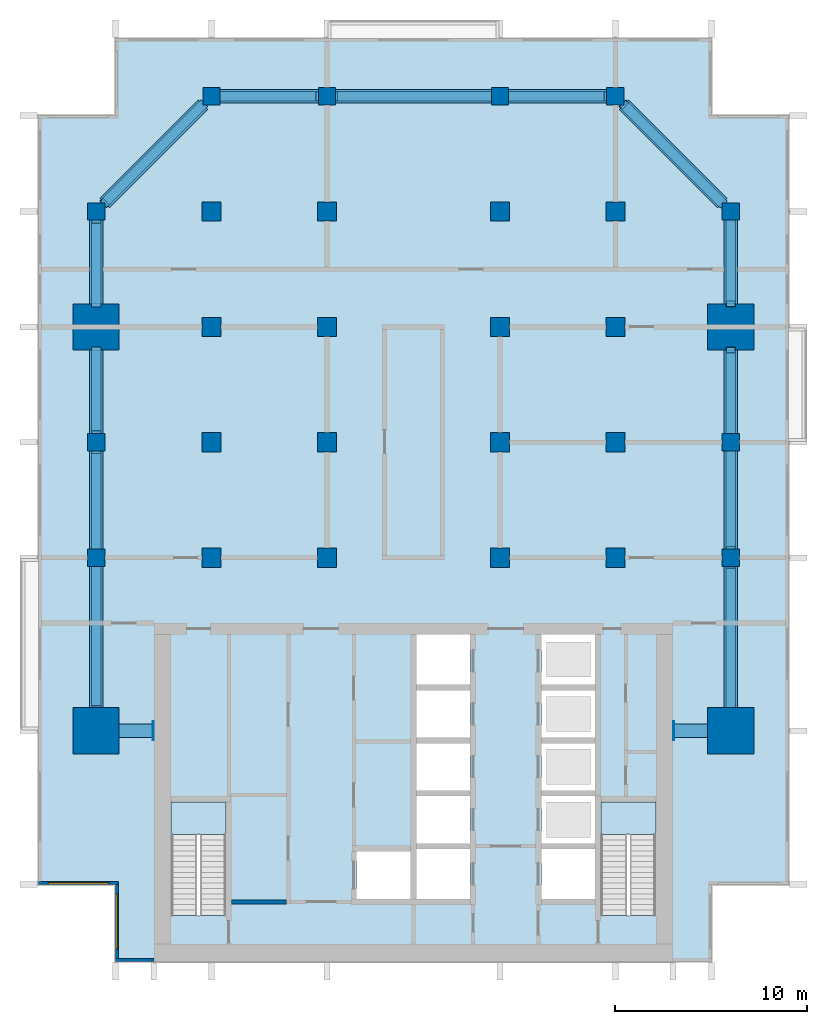
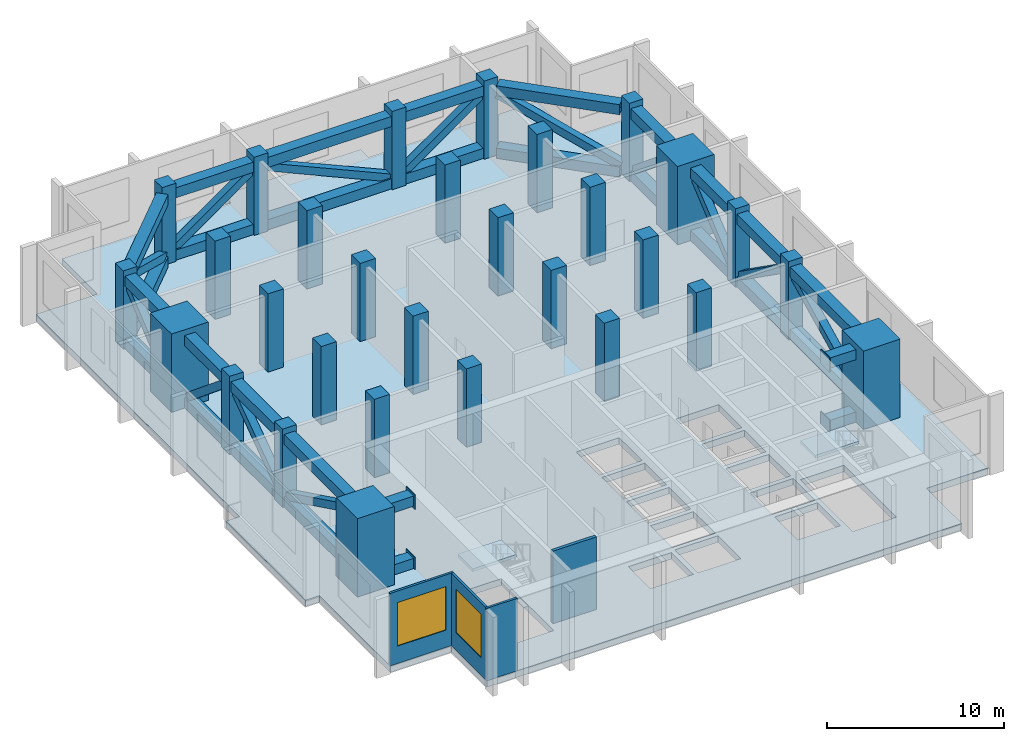
# One storey, part 1 of 11: 43 members, 30 columns, 4 plates, 4 walls, 3 slabs, 2 windows, 2 openings, 2 elements without a shape of their own.
"""IFC4 building model written with IfcOpenShell, lengths in metres."""

import ifcopenshell
import ifcopenshell.guid

model = None  # the IFC model being written
_history = None  # IfcOwnerHistory: only IFC2X3 demands one
_inside = {}  # id of a spatial element -> (the spatial element, [elements in it])
_under = {}  # id of a project, library or spatial element -> (it, [spatial elements below it])
_declared = {}  # id of a project -> (the project, [libraries it declares])
_typed = {}  # id of a type object -> (the type object, [elements of that type])
_made_of = {}  # id of a material, layer set ... -> (it, [elements and type objects made of it])


def new_model(schema):
    """Start an empty IFC model of exactly this schema.

    Asked for "IFC4X3", IfcOpenShell would pick the latest addendum, in which some entities
    have other attributes; the version numbers below select the first issue.
    IFC2X3 requires an IfcOwnerHistory on every rooted entity: one is made here for all.
    """
    global model, _history
    if schema == "IFC4X3":
        model = ifcopenshell.file(schema_version=(4, 3, 0, 0))
    else:
        model = ifcopenshell.file(schema=schema)
    _inside.clear()
    _under.clear()
    _declared.clear()
    _typed.clear()
    _made_of.clear()
    _history = None
    if model.schema == "IFC2X3":
        org = make("IfcOrganization", Name="unknown")
        user = make(
            "IfcPersonAndOrganization",
            ThePerson=make("IfcPerson", FamilyName="unknown"),
            TheOrganization=org,
        )
        app = make(
            "IfcApplication",
            ApplicationDeveloper=org,
            Version="unknown",
            ApplicationFullName="unknown",
            ApplicationIdentifier="unknown",
        )
        _history = make(
            "IfcOwnerHistory",
            OwningUser=user,
            OwningApplication=app,
            ChangeAction="ADDED",
            CreationDate=0,
        )
    return model


def make(cls, **values):
    """One entity of the class cls with the attributes given. An attribute that is None is left unset."""
    return model.create_entity(
        cls, **{name: value for name, value in values.items() if value is not None}
    )


def rooted(cls, **values):
    """An entity with a GlobalId (a new one), such as an element, a storey or a relation."""
    return make(cls, GlobalId=ifcopenshell.guid.new(), OwnerHistory=_history, **values)


def si_unit(unit_type, name, prefix=None):
    """IfcSIUnit, for example si_unit("LENGTHUNIT", "METRE", prefix="MILLI")."""
    return make("IfcSIUnit", UnitType=unit_type, Prefix=prefix, Name=name)


def assignment(units):
    """IfcUnitAssignment: the units of a project."""
    return None if units is None else make("IfcUnitAssignment", Units=units)


def point(xyz):
    """IfcCartesianPoint."""
    return None if xyz is None else make("IfcCartesianPoint", Coordinates=xyz)


def direction(xyz):
    """IfcDirection."""
    return None if xyz is None else make("IfcDirection", DirectionRatios=xyz)


def frame(location, z_axis=None, x_axis=None):
    """IfcAxis2Placement3D, a coordinate frame: its origin and axes. An axis left out is left unset."""
    return make(
        "IfcAxis2Placement3D",
        Location=point(location),
        Axis=direction(z_axis),
        RefDirection=direction(x_axis),
    )


def frame_2d(location, x_axis=None):
    """IfcAxis2Placement2D, a coordinate frame in the plane: its origin and x axis."""
    return make(
        "IfcAxis2Placement2D", Location=point(location), RefDirection=direction(x_axis)
    )


def origin():
    """The frame at (0, 0, 0) with its axes left unset."""
    return frame((0.0, 0.0, 0.0))


def origin_2d():
    """The frame at (0, 0) in the plane with its x axis left unset."""
    return frame_2d((0.0, 0.0))


def place(relative_to, where):
    """IfcLocalPlacement: puts the frame where relative to a parent placement (None: the world)."""
    return make(
        "IfcLocalPlacement", PlacementRelTo=relative_to, RelativePlacement=where
    )


def context(
    kind, dimensions, precision=None, world=None, true_north=None, identifier=None
):
    """IfcGeometricRepresentationContext, for example the 3D "Model" context."""
    return make(
        "IfcGeometricRepresentationContext",
        ContextIdentifier=identifier,
        ContextType=kind,
        CoordinateSpaceDimension=dimensions,
        Precision=precision,
        WorldCoordinateSystem=world,
        TrueNorth=true_north,
    )


def subcontext(parent, identifier, kind, view, scale=None):
    """IfcGeometricRepresentationSubContext, for example "Body" below "Model"."""
    return make(
        "IfcGeometricRepresentationSubContext",
        ContextIdentifier=identifier,
        ContextType=kind,
        ParentContext=parent,
        TargetScale=scale,
        TargetView=view,
    )


def project(units=None, contexts=None):
    """IfcProject with its units and contexts."""
    return rooted(
        "IfcProject",
        Name="project",
        RepresentationContexts=contexts,
        UnitsInContext=assignment(units),
    )


def spatial(cls, under=None, at=None, **own):
    """A site, building, storey or space (cls), placed at a placement, below another one or the project."""
    s = rooted(cls, ObjectPlacement=at, **own)
    if under is not None:
        _under.setdefault(under.id(), (under, []))[1].append(s)
    return s


def polyline(points):
    """IfcPolyline through the points."""
    return make("IfcPolyline", Points=[point(p) for p in points])


def profile(cls, at=None, kind="AREA", **sizes):
    """A parametric profile (cls). Its sizes go by their IFC names, for example OverallWidth=200.0."""
    return make(cls, ProfileType=kind, Position=at, **sizes)


def rectangle(**sizes):
    """IfcRectangleProfileDef."""
    return profile("IfcRectangleProfileDef", **sizes)


def hollow_rectangle(**sizes):
    """IfcRectangleHollowProfileDef."""
    return profile("IfcRectangleHollowProfileDef", **sizes)


def outline(outer, holes=None, kind="AREA"):
    """IfcArbitraryClosedProfileDef: a profile drawn as a closed curve; with holes, ...WithVoids."""
    if holes is None:
        return make("IfcArbitraryClosedProfileDef", ProfileType=kind, OuterCurve=outer)
    return make(
        "IfcArbitraryProfileDefWithVoids",
        ProfileType=kind,
        OuterCurve=outer,
        InnerCurves=holes,
    )


def extrude(swept, where, along, depth):
    """IfcExtrudedAreaSolid: the profile swept, set in the frame where, extruded along a direction by depth."""
    return make(
        "IfcExtrudedAreaSolid",
        SweptArea=swept,
        Position=where,
        ExtrudedDirection=direction(along),
        Depth=depth,
    )


def shape(context_of_items, identifier, shape_type, items):
    """IfcShapeRepresentation: the items that make up one representation, for example the "Body"."""
    return make(
        "IfcShapeRepresentation",
        ContextOfItems=context_of_items,
        RepresentationIdentifier=identifier,
        RepresentationType=shape_type,
        Items=items,
    )


def material(Name=None, Category=None):
    """IfcMaterial."""
    return make("IfcMaterial", Name=Name, Category=Category)


def layer(
    of_material, thickness, ventilated=None, Name=None, Category=None, Priority=None
):
    """IfcMaterialLayer: one layer of a wall or slab, of a material (None: an air gap)."""
    return make(
        "IfcMaterialLayer",
        Material=of_material,
        LayerThickness=thickness,
        IsVentilated=ventilated,
        Name=Name,
        Category=Category,
        Priority=Priority,
    )


def layer_set(layers, Name=None):
    """IfcMaterialLayerSet."""
    return make("IfcMaterialLayerSet", MaterialLayers=layers, LayerSetName=Name)


def material_profile(
    of_material, cross_section, Name=None, Category=None, Priority=None
):
    """IfcMaterialProfile: a cross section and its material."""
    return make(
        "IfcMaterialProfile",
        Name=Name,
        Material=of_material,
        Profile=cross_section,
        Priority=Priority,
        Category=Category,
    )


def profile_set(profiles, Name=None, composite=None):
    """IfcMaterialProfileSet."""
    return make(
        "IfcMaterialProfileSet",
        Name=Name,
        MaterialProfiles=profiles,
        CompositeProfile=composite,
    )


def made_of(thing, what):
    """Note that an element or type object is made of a material, layer set ...; save() writes the relation."""
    if what is not None:
        _made_of.setdefault(what.id(), (what, []))[1].append(thing)
    return thing


def type_object(cls, material=None, **own):
    """A type object (cls), such as IfcWallType, which elements share."""
    return made_of(rooted(cls, **own), material)


def element(
    cls,
    number,
    at=None,
    inside=None,
    cuts=None,
    type_object=None,
    material=None,
    context=None,
    identifier="Body",
    shape_type=None,
    held_by="IfcProductDefinitionShape",
    body=None,
    shapes=None,
    **own,
):
    """One element of the class cls, such as IfcWall. Its Tag is "e" and its number.

    at: its placement. inside: the storey or other place that contains it. cuts: it is an
    opening in that element (IfcRelVoidsElement). A single representation is given by context,
    identifier, shape_type and body (its items); several are given by shapes. held_by: the class
    of the entity that holds the representations. save() writes the other relations.
    """
    e = rooted(cls, Tag="e%d" % number, ObjectPlacement=at, **own)
    if body is not None:
        shapes = [shape(context, identifier, shape_type, body)]
    if shapes is not None:
        e.Representation = make(held_by, Representations=shapes)
    if inside is not None:
        _inside.setdefault(inside.id(), (inside, []))[1].append(e)
    if cuts is not None:
        rooted(
            "IfcRelVoidsElement", RelatingBuildingElement=cuts, RelatedOpeningElement=e
        )
    if type_object is not None:
        _typed.setdefault(type_object.id(), (type_object, []))[1].append(e)
    return made_of(e, material)


def fill(opening, filler):
    """IfcRelFillsElement: the door or window that sits in an opening."""
    return rooted(
        "IfcRelFillsElement",
        RelatingOpeningElement=opening,
        RelatedBuildingElement=filler,
    )


def aggregate(whole, parts):
    """IfcRelAggregates: a whole, such as a stair, and the parts it consists of."""
    return rooted("IfcRelAggregates", RelatingObject=whole, RelatedObjects=parts)


def save(model, path):
    """Write the relations noted so far, then the file.

    IfcRelAggregates (storeys below a building ...), IfcRelContainedInSpatialStructure (elements
    in a storey), IfcRelDefinesByType, IfcRelAssociatesMaterial and IfcRelDeclares: one each for
    every whole, place, type object, material and project.
    """
    for whole, parts in _under.values():
        aggregate(whole, parts)
    for where, things in _inside.values():
        rooted(
            "IfcRelContainedInSpatialStructure",
            RelatedElements=things,
            RelatingStructure=where,
        )
    for kind, things in _typed.values():
        rooted("IfcRelDefinesByType", RelatedObjects=things, RelatingType=kind)
    for what, things in _made_of.values():
        rooted("IfcRelAssociatesMaterial", RelatedObjects=things, RelatingMaterial=what)
    for by, libraries in _declared.values():
        rooted("IfcRelDeclares", RelatingContext=by, RelatedDefinitions=libraries)
    model.write(path)


model = new_model("IFC4")

# Units and contexts
model_context = context("Model", 3, precision=1e-05, world=origin(), true_north=direction((0.0, 1.0)))
body_context = subcontext(model_context, "Body", "Model", "MODEL_VIEW")
ifc_project = project(units=[si_unit("LENGTHUNIT", "METRE"), si_unit("AREAUNIT", "SQUARE_METRE"), si_unit("VOLUMEUNIT", "CUBIC_METRE"), si_unit("PLANEANGLEUNIT", "RADIAN"), si_unit("MASSUNIT", "GRAM", prefix="KILO")], contexts=[model_context])

# Site, building, storey
site_placement = place(None, origin())
site = spatial("IfcSite", under=ifc_project, at=site_placement, CompositionType="ELEMENT")
building_placement = place(site_placement, origin())
building = spatial("IfcBuilding", under=site, at=building_placement, Name="Finial Court Residences", CompositionType="ELEMENT")
storey_placement = place(building_placement, frame((0.0, 0.0, 199.699951171875)))
storey = spatial("IfcBuildingStorey", under=building, at=storey_placement, Name="L50", CompositionType="ELEMENT", Elevation=199.699951171875)

# Columns
ifc_material_1 = material(Name="Concrete C60/75", Category="concrete")
ifc_material_profile_1 = material_profile(ifc_material_1, rectangle(XDim=1.0, YDim=1.0, at=origin_2d()), Name="1000x1000")
ifc_profile_set_1 = profile_set([ifc_material_profile_1], Name="Concrete C60/75")
column_type_1 = type_object("IfcColumnType", Name="Interior column 1000x1000 Concrete C60/75", PredefinedType="COLUMN", material=ifc_profile_set_1)
for number, where, z_axis, x_axis, name in (
    (1, (-10.5, -4.5, 0.0), (0.0, 0.0, 1.0), (1.0, 0.0, 0.0), "S:COL:L50:D4"),
    (2, (-10.5, 1.5, 0.0), (0.0, 0.0, 1.0), (1.0, 0.0, 0.0), "S:COL:L50:D5"),
    (3, (-10.5, 7.5, 0.0), (0.0, 0.0, 1.0), (1.0, 0.0, 0.0), "S:COL:L50:D6"),
    (4, (-10.5, 13.5, 0.0), (0.0, 0.0, 1.0), (1.0, 0.0, 0.0), "S:COL:L50:D7"),
    (5, (-4.5, -4.5, 0.0), (0.0, 0.0, 1.0), (1.0, 0.0, 0.0), "S:COL:L50:E4"),
    (6, (-4.5, 1.5, 0.0), (0.0, 0.0, 1.0), (1.0, 0.0, 0.0), "S:COL:L50:E5"),
    (7, (-4.5, 7.5, 0.0), (0.0, 0.0, 1.0), (1.0, 0.0, 0.0), "S:COL:L50:E6"),
    (8, (-4.5, 13.5, 0.0), (0.0, 0.0, 1.0), (1.0, 0.0, 0.0), "S:COL:L50:E7"),
    (9, (4.5, -4.5, 0.0), (0.0, 0.0, 1.0), (1.0, 0.0, 0.0), "S:COL:L50:F4"),
    (10, (4.5, 1.5, 0.0), (0.0, 0.0, 1.0), (1.0, 0.0, 0.0), "S:COL:L50:F5"),
    (11, (4.5, 7.5, 0.0), (0.0, 0.0, 1.0), (1.0, 0.0, 0.0), "S:COL:L50:F6"),
    (12, (4.5, 13.5, 0.0), (0.0, 0.0, 1.0), (1.0, 0.0, 0.0), "S:COL:L50:F7"),
    (13, (10.5, -4.5, 0.0), (0.0, 0.0, 1.0), (1.0, 0.0, 0.0), "S:COL:L50:G4"),
    (14, (10.5, 1.5, 0.0), (0.0, 0.0, 1.0), (1.0, 0.0, 0.0), "S:COL:L50:G5"),
    (15, (10.5, 7.5, 0.0), (0.0, 0.0, 1.0), (1.0, 0.0, 0.0), "S:COL:L50:G6"),
    (16, (10.5, 13.5, 0.0), (0.0, 0.0, 1.0), (1.0, 0.0, 0.0), "S:COL:L50:G7"),
):
    element("IfcColumn", number, at=place(storey_placement, frame(where, z_axis=z_axis, x_axis=x_axis)), inside=storey, type_object=column_type_1, Name=name, PredefinedType="COLUMN", context=body_context, shape_type="SweptSolid", body=[
        extrude(rectangle(XDim=1.0, YDim=1.0, at=origin_2d()), origin(), (0.0, 0.0, 1.0), 5.400146484375),
    ])
ifc_material_profile_2 = material_profile(ifc_material_1, rectangle(XDim=2.39990234375, YDim=2.39990234375, at=origin_2d()), Name="2400x2400")
ifc_profile_set_2 = profile_set([ifc_material_profile_2], Name="Concrete C60/75")
column_type_2 = type_object("IfcColumnType", Name="Mega column 2400x2400 Concrete C60/75", PredefinedType="COLUMN", material=ifc_profile_set_2)
for number, where, z_axis, x_axis, name in (
    (17, (-16.5, -13.5, 0.0), (0.0, 0.0, 1.0), (1.0, 0.0, 0.0), "S:COL:L50:C3"),
    (18, (-16.5, 7.5, 0.0), (0.0, 0.0, 1.0), (1.0, 0.0, 0.0), "S:COL:L50:C6"),
    (19, (16.5, -13.5, 0.0), (0.0, 0.0, 1.0), (1.0, 0.0, 0.0), "S:COL:L50:H3"),
    (20, (16.5, 7.5, 0.0), (0.0, 0.0, 1.0), (1.0, 0.0, 0.0), "S:COL:L50:H6"),
):
    element("IfcColumn", number, at=place(storey_placement, frame(where, z_axis=z_axis, x_axis=x_axis)), inside=storey, type_object=column_type_2, Name=name, PredefinedType="COLUMN", context=body_context, shape_type="SweptSolid", body=[
        extrude(rectangle(XDim=2.39990234375, YDim=2.39990234375, at=origin_2d()), origin(), (0.0, 0.0, 1.0), 5.400146484375),
    ])
ifc_material_profile_3 = material_profile(ifc_material_1, rectangle(XDim=0.89990234375, YDim=0.89990234375, at=origin_2d()), Name="900x900")
ifc_profile_set_3 = profile_set([ifc_material_profile_3], Name="Concrete C60/75")
column_type_3 = type_object("IfcColumnType", Name="Perimeter column 900x900 Concrete C60/75", PredefinedType="COLUMN", material=ifc_profile_set_3)
for number, where, z_axis, x_axis, name in (
    (21, (-16.5, -4.5, 0.0), (0.0, 0.0, 1.0), (1.0, 0.0, 0.0), "S:COL:L50:C4"),
    (22, (-16.5, 1.5, 0.0), (0.0, 0.0, 1.0), (1.0, 0.0, 0.0), "S:COL:L50:C5"),
    (23, (-16.5, 13.5, 0.0), (0.0, 0.0, 1.0), (1.0, 0.0, 0.0), "S:COL:L50:C7"),
    (24, (-10.5, 19.5, 0.0), (0.0, 0.0, 1.0), (1.0, 0.0, 0.0), "S:COL:L50:D8"),
    (25, (-4.5, 19.5, 0.0), (0.0, 0.0, 1.0), (1.0, 0.0, 0.0), "S:COL:L50:E8"),
    (26, (4.5, 19.5, 0.0), (0.0, 0.0, 1.0), (1.0, 0.0, 0.0), "S:COL:L50:F8"),
    (27, (10.5, 19.5, 0.0), (0.0, 0.0, 1.0), (1.0, 0.0, 0.0), "S:COL:L50:G8"),
    (28, (16.5, -4.5, 0.0), (0.0, 0.0, 1.0), (1.0, 0.0, 0.0), "S:COL:L50:H4"),
    (29, (16.5, 1.5, 0.0), (0.0, 0.0, 1.0), (1.0, 0.0, 0.0), "S:COL:L50:H5"),
    (30, (16.5, 13.5, 0.0), (0.0, 0.0, 1.0), (1.0, 0.0, 0.0), "S:COL:L50:H7"),
):
    element("IfcColumn", number, at=place(storey_placement, frame(where, z_axis=z_axis, x_axis=x_axis)), inside=storey, type_object=column_type_3, Name=name, PredefinedType="COLUMN", context=body_context, shape_type="SweptSolid", body=[
        extrude(rectangle(XDim=0.89990234375, YDim=0.89990234375, at=origin_2d()), origin(), (0.0, 0.0, 1.0), 5.400146484375),
    ])

# Members
ifc_material_2 = material(Name="Steel ASTM A572 Gr 50", Category="steel")
ifc_material_profile_4 = material_profile(ifc_material_2, hollow_rectangle(XDim=0.699951171875, YDim=0.699951171875, WallThickness=0.0400390625, at=origin_2d()), Name="Box 700x700x40")
ifc_profile_set_4 = profile_set([ifc_material_profile_4], Name="Steel ASTM A572 Gr 50")
member_type_1 = type_object("IfcMemberType", Name="Belt truss chord Box 700x700x40", PredefinedType="CHORD", material=ifc_profile_set_4)
for number, where, z_axis, x_axis, name in (
    (31, (-13.550048828125, -13.5, 0.35009765625), (-1.0, 0.0, 0.0), (0.0, -1.0, 0.0), "S:TR:L50:01:B"),
    (32, (-13.550048828125, -13.5, 4.649169921875), (-1.0, 0.0, 0.0), (0.0, -1.0, 0.0), "S:TR:L50:01:T"),
):
    element("IfcMember", number, at=place(storey_placement, frame(where, z_axis=z_axis, x_axis=x_axis)), inside=storey, type_object=member_type_1, Name=name, PredefinedType="CHORD", context=body_context, shape_type="SweptSolid", body=[
        extrude(hollow_rectangle(XDim=0.699951171875, YDim=0.699951171875, WallThickness=0.0400390625, at=origin_2d()), origin(), (0.0, 0.0, 1.0), 1.75),
    ])
for number, where, z_axis, x_axis, name in (
    (33, (-16.5, -12.300048828125, 0.35009765625), (0.0, 1.0, 0.0), (-1.0, 0.0, 0.0), "S:TR:L50:02:B"),
    (34, (-16.5, -12.300048828125, 4.649169921875), (0.0, 1.0, 0.0), (-1.0, 0.0, 0.0), "S:TR:L50:02:T"),
):
    element("IfcMember", number, at=place(storey_placement, frame(where, z_axis=z_axis, x_axis=x_axis)), inside=storey, type_object=member_type_1, Name=name, PredefinedType="CHORD", context=body_context, shape_type="SweptSolid", body=[
        extrude(hollow_rectangle(XDim=0.699951171875, YDim=0.699951171875, WallThickness=0.0400390625, at=origin_2d()), origin(), (0.0, 0.0, 1.0), 7.35009765625),
    ])
for number, where, z_axis, x_axis, name in (
    (35, (-16.5, -4.050048828125, 0.35009765625), (0.0, 1.0, 0.0), (-1.0, 0.0, 0.0), "S:TR:L50:03:B"),
    (36, (-16.5, -4.050048828125, 4.649169921875), (0.0, 1.0, 0.0), (-1.0, 0.0, 0.0), "S:TR:L50:03:T"),
):
    element("IfcMember", number, at=place(storey_placement, frame(where, z_axis=z_axis, x_axis=x_axis)), inside=storey, type_object=member_type_1, Name=name, PredefinedType="CHORD", context=body_context, shape_type="SweptSolid", body=[
        extrude(hollow_rectangle(XDim=0.699951171875, YDim=0.699951171875, WallThickness=0.0400390625, at=origin_2d()), origin(), (0.0, 0.0, 1.0), 5.10009765625),
    ])
for number, where, z_axis, x_axis, name in (
    (37, (-16.5, 1.949951171875, 0.35009765625), (0.0, 1.0, 0.0), (-1.0, 0.0, 0.0), "S:TR:L50:04:B"),
    (38, (-16.5, 1.949951171875, 4.649169921875), (0.0, 1.0, 0.0), (-1.0, 0.0, 0.0), "S:TR:L50:04:T"),
    (39, (-16.5, 8.699951171875, 0.35009765625), (0.0, 1.0, 0.0), (-1.0, 0.0, 0.0), "S:TR:L50:05:B"),
    (40, (-16.5, 8.699951171875, 4.649169921875), (0.0, 1.0, 0.0), (-1.0, 0.0, 0.0), "S:TR:L50:05:T"),
):
    element("IfcMember", number, at=place(storey_placement, frame(where, z_axis=z_axis, x_axis=x_axis)), inside=storey, type_object=member_type_1, Name=name, PredefinedType="CHORD", context=body_context, shape_type="SweptSolid", body=[
        extrude(hollow_rectangle(XDim=0.699951171875, YDim=0.699951171875, WallThickness=0.0400390625, at=origin_2d()), origin(), (0.0, 0.0, 1.0), 4.35009765625),
    ])
for number, where, z_axis, x_axis, name in (
    (41, (-16.050048828125, 13.949951171875, 0.35009765625), (0.707106781187, 0.707106781187, 0.0), (-0.707106781187, 0.707106781187, 0.0), "S:TR:L50:06:B"),
    (42, (-16.050048828125, 13.949951171875, 4.649169921875), (0.707106781187, 0.707106781187, 0.0), (-0.707106781187, 0.707106781187, 0.0), "S:TR:L50:06:T"),
):
    element("IfcMember", number, at=place(storey_placement, frame(where, z_axis=z_axis, x_axis=x_axis)), inside=storey, type_object=member_type_1, Name=name, PredefinedType="CHORD", context=body_context, shape_type="SweptSolid", body=[
        extrude(hollow_rectangle(XDim=0.699951171875, YDim=0.699951171875, WallThickness=0.0400390625, at=origin_2d()), origin(), (0.0, 0.0, 1.0), 7.212646484375),
    ])
for number, where, z_axis, x_axis, name in (
    (43, (-10.050048828125, 19.5, 0.35009765625), (1.0, 0.0, 0.0), (0.0, 1.0, 0.0), "S:TR:L50:07:B"),
    (44, (-10.050048828125, 19.5, 4.649169921875), (1.0, 0.0, 0.0), (0.0, 1.0, 0.0), "S:TR:L50:07:T"),
):
    element("IfcMember", number, at=place(storey_placement, frame(where, z_axis=z_axis, x_axis=x_axis)), inside=storey, type_object=member_type_1, Name=name, PredefinedType="CHORD", context=body_context, shape_type="SweptSolid", body=[
        extrude(hollow_rectangle(XDim=0.699951171875, YDim=0.699951171875, WallThickness=0.0400390625, at=origin_2d()), origin(), (0.0, 0.0, 1.0), 5.10009765625),
    ])
for number, where, z_axis, x_axis, name in (
    (45, (-4.050048828125, 19.5, 0.35009765625), (1.0, 0.0, 0.0), (0.0, 1.0, 0.0), "S:TR:L50:08:B"),
    (46, (-4.050048828125, 19.5, 4.649169921875), (1.0, 0.0, 0.0), (0.0, 1.0, 0.0), "S:TR:L50:08:T"),
):
    element("IfcMember", number, at=place(storey_placement, frame(where, z_axis=z_axis, x_axis=x_axis)), inside=storey, type_object=member_type_1, Name=name, PredefinedType="CHORD", context=body_context, shape_type="SweptSolid", body=[
        extrude(hollow_rectangle(XDim=0.699951171875, YDim=0.699951171875, WallThickness=0.0400390625, at=origin_2d()), origin(), (0.0, 0.0, 1.0), 8.10009765625),
    ])
for number, where, z_axis, x_axis, name in (
    (47, (4.949951171875, 19.5, 0.35009765625), (1.0, 0.0, 0.0), (0.0, 1.0, 0.0), "S:TR:L50:09:B"),
    (48, (4.949951171875, 19.5, 4.649169921875), (1.0, 0.0, 0.0), (0.0, 1.0, 0.0), "S:TR:L50:09:T"),
):
    element("IfcMember", number, at=place(storey_placement, frame(where, z_axis=z_axis, x_axis=x_axis)), inside=storey, type_object=member_type_1, Name=name, PredefinedType="CHORD", context=body_context, shape_type="SweptSolid", body=[
        extrude(hollow_rectangle(XDim=0.699951171875, YDim=0.699951171875, WallThickness=0.0400390625, at=origin_2d()), origin(), (0.0, 0.0, 1.0), 5.10009765625),
    ])
for number, where, z_axis, x_axis, name in (
    (49, (10.949951171875, 19.050048828125, 0.35009765625), (0.707106781187, -0.707106781187, 0.0), (0.707106781187, 0.707106781187, 0.0), "S:TR:L50:10:B"),
    (50, (10.949951171875, 19.050048828125, 4.649169921875), (0.707106781187, -0.707106781187, 0.0), (0.707106781187, 0.707106781187, 0.0), "S:TR:L50:10:T"),
):
    element("IfcMember", number, at=place(storey_placement, frame(where, z_axis=z_axis, x_axis=x_axis)), inside=storey, type_object=member_type_1, Name=name, PredefinedType="CHORD", context=body_context, shape_type="SweptSolid", body=[
        extrude(hollow_rectangle(XDim=0.699951171875, YDim=0.699951171875, WallThickness=0.0400390625, at=origin_2d()), origin(), (0.0, 0.0, 1.0), 7.212646484375),
    ])
for number, where, z_axis, x_axis, name in (
    (51, (16.5, 13.050048828125, 0.35009765625), (0.0, -1.0, 0.0), (1.0, 0.0, 0.0), "S:TR:L50:11:B"),
    (52, (16.5, 13.050048828125, 4.649169921875), (0.0, -1.0, 0.0), (1.0, 0.0, 0.0), "S:TR:L50:11:T"),
    (53, (16.5, 6.300048828125, 0.35009765625), (0.0, -1.0, 0.0), (1.0, 0.0, 0.0), "S:TR:L50:12:B"),
    (54, (16.5, 6.300048828125, 4.649169921875), (0.0, -1.0, 0.0), (1.0, 0.0, 0.0), "S:TR:L50:12:T"),
):
    element("IfcMember", number, at=place(storey_placement, frame(where, z_axis=z_axis, x_axis=x_axis)), inside=storey, type_object=member_type_1, Name=name, PredefinedType="CHORD", context=body_context, shape_type="SweptSolid", body=[
        extrude(hollow_rectangle(XDim=0.699951171875, YDim=0.699951171875, WallThickness=0.0400390625, at=origin_2d()), origin(), (0.0, 0.0, 1.0), 4.35009765625),
    ])
for number, where, z_axis, x_axis, name in (
    (55, (16.5, 1.050048828125, 0.35009765625), (0.0, -1.0, 0.0), (1.0, 0.0, 0.0), "S:TR:L50:13:B"),
    (56, (16.5, 1.050048828125, 4.649169921875), (0.0, -1.0, 0.0), (1.0, 0.0, 0.0), "S:TR:L50:13:T"),
):
    element("IfcMember", number, at=place(storey_placement, frame(where, z_axis=z_axis, x_axis=x_axis)), inside=storey, type_object=member_type_1, Name=name, PredefinedType="CHORD", context=body_context, shape_type="SweptSolid", body=[
        extrude(hollow_rectangle(XDim=0.699951171875, YDim=0.699951171875, WallThickness=0.0400390625, at=origin_2d()), origin(), (0.0, 0.0, 1.0), 5.10009765625),
    ])
for number, where, z_axis, x_axis, name in (
    (57, (16.5, -4.949951171875, 0.35009765625), (0.0, -1.0, 0.0), (1.0, 0.0, 0.0), "S:TR:L50:14:B"),
    (58, (16.5, -4.949951171875, 4.649169921875), (0.0, -1.0, 0.0), (1.0, 0.0, 0.0), "S:TR:L50:14:T"),
):
    element("IfcMember", number, at=place(storey_placement, frame(where, z_axis=z_axis, x_axis=x_axis)), inside=storey, type_object=member_type_1, Name=name, PredefinedType="CHORD", context=body_context, shape_type="SweptSolid", body=[
        extrude(hollow_rectangle(XDim=0.699951171875, YDim=0.699951171875, WallThickness=0.0400390625, at=origin_2d()), origin(), (0.0, 0.0, 1.0), 7.35009765625),
    ])
for number, where, z_axis, x_axis, name in (
    (59, (15.300048828125, -13.5, 0.35009765625), (-1.0, 0.0, 0.0), (0.0, -1.0, 0.0), "S:TR:L50:15:B"),
    (60, (15.300048828125, -13.5, 4.649169921875), (-1.0, 0.0, 0.0), (0.0, -1.0, 0.0), "S:TR:L50:15:T"),
):
    element("IfcMember", number, at=place(storey_placement, frame(where, z_axis=z_axis, x_axis=x_axis)), inside=storey, type_object=member_type_1, Name=name, PredefinedType="CHORD", context=body_context, shape_type="SweptSolid", body=[
        extrude(hollow_rectangle(XDim=0.699951171875, YDim=0.699951171875, WallThickness=0.0400390625, at=origin_2d()), origin(), (0.0, 0.0, 1.0), 1.75),
    ])
ifc_material_profile_5 = material_profile(ifc_material_2, hollow_rectangle(XDim=0.5, YDim=0.5, WallThickness=0.030029296875, at=origin_2d()), Name="Box 500x500x30")
ifc_profile_set_5 = profile_set([ifc_material_profile_5], Name="Steel ASTM A572 Gr 50")
member_type_2 = type_object("IfcMemberType", Name="Belt truss diagonal Box 500x500x30", PredefinedType="BRACE", material=ifc_profile_set_5)
member_1_placement = place(storey_placement, frame((-16.5, -12.300048828125, 4.299072265625), z_axis=(0.0, 0.898107435577, -0.439776118225), x_axis=(-1.0, 0.0, 0.0)))
element("IfcMember", 61, at=member_1_placement, inside=storey, type_object=member_type_2, Name="S:TR:L50:02:D", PredefinedType="BRACE", context=body_context, shape_type="SweptSolid", body=[
    extrude(hollow_rectangle(XDim=0.5, YDim=0.5, WallThickness=0.030029296875, at=origin_2d()), origin(), (0.0, 0.0, 1.0), 8.18408203125),
])
member_2_placement = place(storey_placement, frame((-16.5, -4.050048828125, 0.699951171875), z_axis=(0.0, 0.81703939581, 0.576581846483), x_axis=(-1.0, 0.0, 0.0)))
element("IfcMember", 62, at=member_2_placement, inside=storey, type_object=member_type_2, Name="S:TR:L50:03:D", PredefinedType="BRACE", context=body_context, shape_type="SweptSolid", body=[
    extrude(hollow_rectangle(XDim=0.5, YDim=0.5, WallThickness=0.030029296875, at=origin_2d()), origin(), (0.0, 0.0, 1.0), 6.2421875),
])
for number, where, z_axis, x_axis, name in (
    (63, (-16.5, 1.949951171875, 4.299072265625), (0.0, 0.770477807011, -0.637466821807), (-1.0, 0.0, 0.0), "S:TR:L50:04:D"),
    (64, (-16.5, 8.699951171875, 0.699951171875), (0.0, 0.770477807011, 0.637466821807), (-1.0, 0.0, 0.0), "S:TR:L50:05:D"),
):
    element("IfcMember", number, at=place(storey_placement, frame(where, z_axis=z_axis, x_axis=x_axis)), inside=storey, type_object=member_type_2, Name=name, PredefinedType="BRACE", context=body_context, shape_type="SweptSolid", body=[
        extrude(hollow_rectangle(XDim=0.5, YDim=0.5, WallThickness=0.030029296875, at=origin_2d()), origin(), (0.0, 0.0, 1.0), 5.64599609375),
    ])
member_3_placement = place(storey_placement, frame((-16.050048828125, 13.949951171875, 4.299072265625), z_axis=(0.632707708986, 0.632707708986, -0.446499619238), x_axis=(-0.707106781187, 0.707106781187, 0.0)))
element("IfcMember", 65, at=member_3_placement, inside=storey, type_object=member_type_2, Name="S:TR:L50:06:D", PredefinedType="BRACE", context=body_context, shape_type="SweptSolid", body=[
    extrude(hollow_rectangle(XDim=0.5, YDim=0.5, WallThickness=0.030029296875, at=origin_2d()), origin(), (0.0, 0.0, 1.0), 8.060791015625),
])
member_4_placement = place(storey_placement, frame((-10.050048828125, 19.5, 0.699951171875), z_axis=(0.81703939581, 0.0, 0.576581846483), x_axis=(0.0, 1.0, 0.0)))
element("IfcMember", 66, at=member_4_placement, inside=storey, type_object=member_type_2, Name="S:TR:L50:07:D", PredefinedType="BRACE", context=body_context, shape_type="SweptSolid", body=[
    extrude(hollow_rectangle(XDim=0.5, YDim=0.5, WallThickness=0.030029296875, at=origin_2d()), origin(), (0.0, 0.0, 1.0), 6.2421875),
])
member_5_placement = place(storey_placement, frame((-4.050048828125, 19.5, 4.299072265625), z_axis=(0.913850162684, 0.0, -0.40605157328), x_axis=(0.0, 1.0, 0.0)))
element("IfcMember", 67, at=member_5_placement, inside=storey, type_object=member_type_2, Name="S:TR:L50:08:D", PredefinedType="BRACE", context=body_context, shape_type="SweptSolid", body=[
    extrude(hollow_rectangle(XDim=0.5, YDim=0.5, WallThickness=0.030029296875, at=origin_2d()), origin(), (0.0, 0.0, 1.0), 8.86376953125),
])
member_6_placement = place(storey_placement, frame((4.949951171875, 19.5, 0.699951171875), z_axis=(0.81703939581, 0.0, 0.576581846483), x_axis=(0.0, 1.0, 0.0)))
element("IfcMember", 68, at=member_6_placement, inside=storey, type_object=member_type_2, Name="S:TR:L50:09:D", PredefinedType="BRACE", context=body_context, shape_type="SweptSolid", body=[
    extrude(hollow_rectangle(XDim=0.5, YDim=0.5, WallThickness=0.030029296875, at=origin_2d()), origin(), (0.0, 0.0, 1.0), 6.2421875),
])
member_7_placement = place(storey_placement, frame((10.949951171875, 19.050048828125, 4.299072265625), z_axis=(0.632707708986, -0.632707708986, -0.446499619238), x_axis=(0.707106781187, 0.707106781187, 0.0)))
element("IfcMember", 69, at=member_7_placement, inside=storey, type_object=member_type_2, Name="S:TR:L50:10:D", PredefinedType="BRACE", context=body_context, shape_type="SweptSolid", body=[
    extrude(hollow_rectangle(XDim=0.5, YDim=0.5, WallThickness=0.030029296875, at=origin_2d()), origin(), (0.0, 0.0, 1.0), 8.060791015625),
])
for number, where, z_axis, x_axis, name in (
    (70, (16.5, 13.050048828125, 0.699951171875), (0.0, -0.770477807011, 0.637466821807), (1.0, 0.0, 0.0), "S:TR:L50:11:D"),
    (71, (16.5, 6.300048828125, 4.299072265625), (0.0, -0.770477807011, -0.637466821807), (1.0, 0.0, 0.0), "S:TR:L50:12:D"),
):
    element("IfcMember", number, at=place(storey_placement, frame(where, z_axis=z_axis, x_axis=x_axis)), inside=storey, type_object=member_type_2, Name=name, PredefinedType="BRACE", context=body_context, shape_type="SweptSolid", body=[
        extrude(hollow_rectangle(XDim=0.5, YDim=0.5, WallThickness=0.030029296875, at=origin_2d()), origin(), (0.0, 0.0, 1.0), 5.64599609375),
    ])
member_8_placement = place(storey_placement, frame((16.5, 1.050048828125, 0.699951171875), z_axis=(0.0, -0.81703939581, 0.576581846483), x_axis=(1.0, 0.0, 0.0)))
element("IfcMember", 72, at=member_8_placement, inside=storey, type_object=member_type_2, Name="S:TR:L50:13:D", PredefinedType="BRACE", context=body_context, shape_type="SweptSolid", body=[
    extrude(hollow_rectangle(XDim=0.5, YDim=0.5, WallThickness=0.030029296875, at=origin_2d()), origin(), (0.0, 0.0, 1.0), 6.2421875),
])
member_9_placement = place(storey_placement, frame((16.5, -4.949951171875, 4.299072265625), z_axis=(0.0, -0.898107435577, -0.439776118225), x_axis=(1.0, 0.0, 0.0)))
element("IfcMember", 73, at=member_9_placement, inside=storey, type_object=member_type_2, Name="S:TR:L50:14:D", PredefinedType="BRACE", context=body_context, shape_type="SweptSolid", body=[
    extrude(hollow_rectangle(XDim=0.5, YDim=0.5, WallThickness=0.030029296875, at=origin_2d()), origin(), (0.0, 0.0, 1.0), 8.18408203125),
])

# Plates
ifc_layer_1 = layer(ifc_material_2, 0.050048828125)
ifc_layer_set_1 = layer_set([ifc_layer_1], Name="Cast-in plate 50")
plate_type = type_object("IfcPlateType", Name="Cast-in plate 50", PredefinedType="USERDEFINED", material=ifc_layer_set_1)
for number, where, z_axis, x_axis, name in (
    (74, (-13.52490234375, -13.5, -0.14990234375), (0.0, 0.0, 1.0), (1.0, 0.0, 0.0), "S:TR:L50:01:CP0B"),
    (75, (-13.52490234375, -13.5, 4.149169921875), (0.0, 0.0, 1.0), (1.0, 0.0, 0.0), "S:TR:L50:01:CP0T"),
    (76, (13.52490234375, -13.5, -0.14990234375), (0.0, 0.0, 1.0), (1.0, 0.0, 0.0), "S:TR:L50:15:CP1B"),
    (77, (13.52490234375, -13.5, 4.149169921875), (0.0, 0.0, 1.0), (1.0, 0.0, 0.0), "S:TR:L50:15:CP1T"),
):
    element("IfcPlate", number, at=place(storey_placement, frame(where, z_axis=z_axis, x_axis=x_axis)), inside=storey, type_object=plate_type, Name=name, ObjectType="Cast-in plate", PredefinedType="USERDEFINED", context=body_context, shape_type="SweptSolid", body=[
        extrude(rectangle(XDim=0.050048828125, YDim=1.0, at=origin_2d()), origin(), (0.0, 0.0, 1.0), 1.0),
    ])

# Stair, slab
ifc_material_3 = material(Name="Concrete C50/60", Category="concrete")
stair_type = type_object("IfcStairType", Name="Exit stair 32 risers of 168.8 mm", PredefinedType="HALF_TURN_STAIR", material=ifc_material_3)
stair_1_placement = place(storey_placement, origin())
stair_1 = element("IfcStair", 78, at=stair_1_placement, inside=storey, type_object=stair_type, Name="L50 Exit stair ST-1", PredefinedType="HALF_TURN_STAIR")
ifc_layer_2 = layer(ifc_material_3, 0.199951171875)
ifc_layer_set_2 = layer_set([ifc_layer_2], Name="Exit stair landing")
slab_type_1 = type_object("IfcSlabType", Name="Exit stair landing", PredefinedType="LANDING", material=ifc_layer_set_2)
slab_1_placement = place(storey_placement, frame((0.0, 0.0, 2.5)))
slab_1 = element("IfcSlab", 79, at=slab_1_placement, type_object=slab_type_1, Name="ST-1 landing 1", PredefinedType="LANDING", context=body_context, shape_type="SweptSolid", body=[
    extrude(outline(polyline([(-9.75, -18.89990234375), (-9.75, -17.199951171875), (-12.60009765625, -17.199951171875), (-12.60009765625, -18.89990234375), (-9.75, -18.89990234375)])), origin(), (0.0, 0.0, 1.0), 0.199951171875),
])
aggregate(stair_1, [slab_1])

stair_2_placement = place(storey_placement, origin())
stair_2 = element("IfcStair", 80, at=stair_2_placement, inside=storey, type_object=stair_type, Name="L50 Exit stair ST-2", PredefinedType="HALF_TURN_STAIR")
slab_2_placement = place(storey_placement, frame((0.0, 0.0, 2.5)))
slab_2 = element("IfcSlab", 81, at=slab_2_placement, type_object=slab_type_1, Name="ST-2 landing 1", PredefinedType="LANDING", context=body_context, shape_type="SweptSolid", body=[
    extrude(outline(polyline([(12.60009765625, -18.89990234375), (12.60009765625, -17.199951171875), (9.75, -17.199951171875), (9.75, -18.89990234375), (12.60009765625, -18.89990234375)])), origin(), (0.0, 0.0, 1.0), 0.199951171875),
])
aggregate(stair_2, [slab_2])

# Slab
ifc_material_4 = material(Name="Concrete C40/50", Category="concrete")
ifc_layer_3 = layer(ifc_material_4, 0.449951171875)
ifc_layer_set_3 = layer_set([ifc_layer_3], Name="Flat plate slab 450 Concrete C40/50")
slab_type_2 = type_object("IfcSlabType", Name="Flat plate slab 450 Concrete C40/50", PredefinedType="FLOOR", material=ifc_layer_set_3)
slab_3_placement = place(storey_placement, frame((0.0, 0.0, -0.449951171875)))
element("IfcSlab", 82, at=slab_3_placement, inside=storey, type_object=slab_type_2, Name="S:SLAB:L50", PredefinedType="FLOOR", context=body_context, shape_type="SweptSolid", body=[
    extrude(outline(polyline([(-20.39990234375, -4.5), (-19.5, -4.5), (-19.5, 18.5), (-15.5, 18.5), (-15.5, 22.5), (-4.5, 22.5), (-4.5, 23.39990234375), (4.5, 23.39990234375), (4.5, 22.5), (15.5, 22.5), (15.5, 18.5), (19.5, 18.5), (19.5, 7.5), (20.39990234375, 7.5), (20.39990234375, 1.5), (19.5, 1.5), (19.5, -21.5), (15.5, -21.5), (15.5, -25.5), (-15.5, -25.5), (-15.5, -21.5), (-19.5, -21.5), (-19.5, -13.5), (-20.39990234375, -13.5), (-20.39990234375, -4.5)]), holes=[polyline([(-0.14990234375, -19.77001953125), (-2.949951171875, -19.77001953125), (-2.949951171875, -22.25), (-0.14990234375, -22.25), (-0.14990234375, -19.77001953125)]), polyline([(2.949951171875, -22.25), (2.949951171875, -19.64990234375), (0.14990234375, -19.64990234375), (0.14990234375, -22.25), (2.949951171875, -22.25)]), polyline([(-9.75, -17.199951171875), (-12.60009765625, -17.199951171875), (-12.60009765625, -23.09912109375), (-9.75, -23.09912109375), (-9.75, -17.199951171875)]), polyline([(2.949951171875, -16.89990234375), (0.14990234375, -16.89990234375), (0.14990234375, -19.35009765625), (2.949951171875, -19.35009765625), (2.949951171875, -16.89990234375)]), polyline([(2.949951171875, -16.60009765625), (2.949951171875, -14.14990234375), (0.14990234375, -14.14990234375), (0.14990234375, -16.60009765625), (2.949951171875, -16.60009765625)]), polyline([(2.949951171875, -13.85009765625), (2.949951171875, -11.39990234375), (0.14990234375, -11.39990234375), (0.14990234375, -13.85009765625), (2.949951171875, -13.85009765625)]), polyline([(2.949951171875, -8.5), (0.14990234375, -8.5), (0.14990234375, -11.10009765625), (2.949951171875, -11.10009765625), (2.949951171875, -8.5)]), polyline([(9.449951171875, -22.25), (9.449951171875, -19.64990234375), (6.64990234375, -19.64990234375), (6.64990234375, -22.25), (9.449951171875, -22.25)]), polyline([(12.60009765625, -17.199951171875), (9.75, -17.199951171875), (9.75, -23.09912109375), (12.60009765625, -23.09912109375), (12.60009765625, -17.199951171875)]), polyline([(9.449951171875, -19.35009765625), (9.449951171875, -16.89990234375), (6.64990234375, -16.89990234375), (6.64990234375, -19.35009765625), (9.449951171875, -19.35009765625)]), polyline([(9.449951171875, -16.60009765625), (9.449951171875, -14.14990234375), (6.64990234375, -14.14990234375), (6.64990234375, -16.60009765625), (9.449951171875, -16.60009765625)]), polyline([(9.449951171875, -13.85009765625), (9.449951171875, -11.39990234375), (6.64990234375, -11.39990234375), (6.64990234375, -13.85009765625), (9.449951171875, -13.85009765625)]), polyline([(9.449951171875, -11.10009765625), (9.449951171875, -8.5), (6.64990234375, -8.5), (6.64990234375, -11.10009765625), (9.449951171875, -11.10009765625)])]), origin(), (0.0, 0.0, 1.0), 0.449951171875),
])

# Wall
ifc_material_5 = material(Name="Natural limestone", Category="masonry")
ifc_layer_4 = layer(ifc_material_5, 0.14990234375)
ifc_layer_set_4 = layer_set([ifc_layer_4], Name="Plant storey wall, limestone clad 150")
wall_type_1 = type_object("IfcWallType", Name="Plant storey wall, limestone clad 150", PredefinedType="SOLIDWALL", material=ifc_layer_set_4)
wall_1_placement = place(storey_placement, frame((-13.5, -25.425048828125, 0.0), z_axis=(0.0, 0.0, 1.0), x_axis=(-1.0, 0.0, 0.0)))
element("IfcWall", 83, at=wall_1_placement, inside=storey, type_object=wall_type_1, Name="E-L50-PWS3", PredefinedType="SOLIDWALL", context=body_context, shape_type="SweptSolid", body=[
    extrude(rectangle(XDim=2.0, YDim=0.14990234375, at=frame_2d((1.0, 0.0))), origin(), (0.0, 0.0, 1.0), 5.0),
])

# Wall, opening, window
wall_2_placement = place(storey_placement, frame((-15.425048828125, -25.35009765625, 0.0), z_axis=(0.0, 0.0, 1.0), x_axis=(0.0, 1.0, 0.0)))
wall_2 = element("IfcWall", 84, at=wall_2_placement, inside=storey, type_object=wall_type_1, Name="E-L50-PWW6", PredefinedType="SOLIDWALL", context=body_context, shape_type="SweptSolid", body=[
    extrude(rectangle(XDim=3.85009765625, YDim=0.14990234375, at=frame_2d((1.925048828125, 0.0))), origin(), (0.0, 0.0, 1.0), 5.0),
])
opening_1_placement = place(wall_2_placement, frame((0.5, 0.0, 1.199951171875)))
opening_1 = element("IfcOpeningElement", 85, at=opening_1_placement, cuts=wall_2, Name="Opening WE50-20", PredefinedType="OPENING", context=body_context, shape_type="SweptSolid", body=[
    extrude(rectangle(XDim=2.85009765625, YDim=3.0, at=frame_2d((1.425048828125, 1.5))), frame((0.0, 0.0849609375, 0.0), z_axis=(0.0, -1.0, 0.0), x_axis=(1.0, 0.0, 0.0)), (0.0, 0.0, 1.0), 0.169921875),
])
ifc_material_6 = material(Name="Bronze anodised aluminium", Category="aluminium")
window_type_1 = type_object("IfcWindowType", Name="Plant louvre 2850 x 3000", PartitioningType="SINGLE_PANEL", PredefinedType="WINDOW", material=ifc_material_6)
window_1_placement = place(opening_1_placement, origin())
window_1 = element("IfcWindow", 86, at=window_1_placement, inside=storey, type_object=window_type_1, Name="E-L50-PWW6-W1", OverallHeight=3.0, OverallWidth=2.85009765625, PartitioningType="SINGLE_PANEL", PredefinedType="WINDOW", context=body_context, shape_type="SweptSolid", body=[
    extrude(rectangle(XDim=2.85009765625, YDim=3.0, at=frame_2d((1.425048828125, 1.5))), frame((0.0, 0.030029296875, 0.0), z_axis=(0.0, -1.0, 0.0), x_axis=(1.0, 0.0, 0.0)), (0.0, 0.0, 1.0), 0.06005859375),
])
fill(opening_1, window_1)

wall_3_placement = place(storey_placement, frame((-15.35009765625, -21.425048828125, 0.0), z_axis=(0.0, 0.0, 1.0), x_axis=(-1.0, 0.0, 0.0)))
wall_3 = element("IfcWall", 87, at=wall_3_placement, inside=storey, type_object=wall_type_1, Name="E-L50-PWS7", PredefinedType="SOLIDWALL", context=body_context, shape_type="SweptSolid", body=[
    extrude(rectangle(XDim=4.14990234375, YDim=0.14990234375, at=frame_2d((2.074951171875, 0.0))), origin(), (0.0, 0.0, 1.0), 5.0),
])
opening_2_placement = place(wall_3_placement, frame((0.5, 0.0, 1.199951171875)))
opening_2 = element("IfcOpeningElement", 88, at=opening_2_placement, cuts=wall_3, Name="Opening WE50-21", PredefinedType="OPENING", context=body_context, shape_type="SweptSolid", body=[
    extrude(rectangle(XDim=3.14990234375, YDim=3.0, at=frame_2d((1.574951171875, 1.5))), frame((0.0, 0.0849609375, 0.0), z_axis=(0.0, -1.0, 0.0), x_axis=(1.0, 0.0, 0.0)), (0.0, 0.0, 1.0), 0.169921875),
])
window_type_2 = type_object("IfcWindowType", Name="Plant louvre 3150 x 3000", PartitioningType="SINGLE_PANEL", PredefinedType="WINDOW", material=ifc_material_6)
window_2_placement = place(opening_2_placement, origin())
window_2 = element("IfcWindow", 89, at=window_2_placement, inside=storey, type_object=window_type_2, Name="E-L50-PWS7-W1", OverallHeight=3.0, OverallWidth=3.14990234375, PartitioningType="SINGLE_PANEL", PredefinedType="WINDOW", context=body_context, shape_type="SweptSolid", body=[
    extrude(rectangle(XDim=3.14990234375, YDim=3.0, at=frame_2d((1.574951171875, 1.5))), frame((0.0, 0.030029296875, 0.0), z_axis=(0.0, -1.0, 0.0), x_axis=(1.0, 0.0, 0.0)), (0.0, 0.0, 1.0), 0.06005859375),
])
fill(opening_2, window_2)

# Wall
ifc_material_7 = material(Name="Fire-rated gypsum board partition")
ifc_layer_5 = layer(ifc_material_7, 0.199951171875)
ifc_layer_set_5 = layer_set([ifc_layer_5], Name="Riser room wall 200 EI 120")
wall_type_2 = type_object("IfcWallType", Name="Riser room wall 200 EI 120", PredefinedType="PARTITIONING", material=ifc_layer_set_5)
wall_4_placement = place(storey_placement, frame((-9.449951171875, -22.39990234375, 0.0), z_axis=(0.0, 0.0, 1.0), x_axis=(1.0, 0.0, 0.0)))
element("IfcWall", 90, at=wall_4_placement, inside=storey, type_object=wall_type_2, Name="Core partition L50-01", PredefinedType="PARTITIONING", context=body_context, shape_type="SweptSolid", body=[
    extrude(rectangle(XDim=2.849853515625, YDim=0.199951171875, at=frame_2d((1.4248046875, 0.0))), origin(), (0.0, 0.0, 1.0), 5.0),
])

save(model, "model.ifc")
